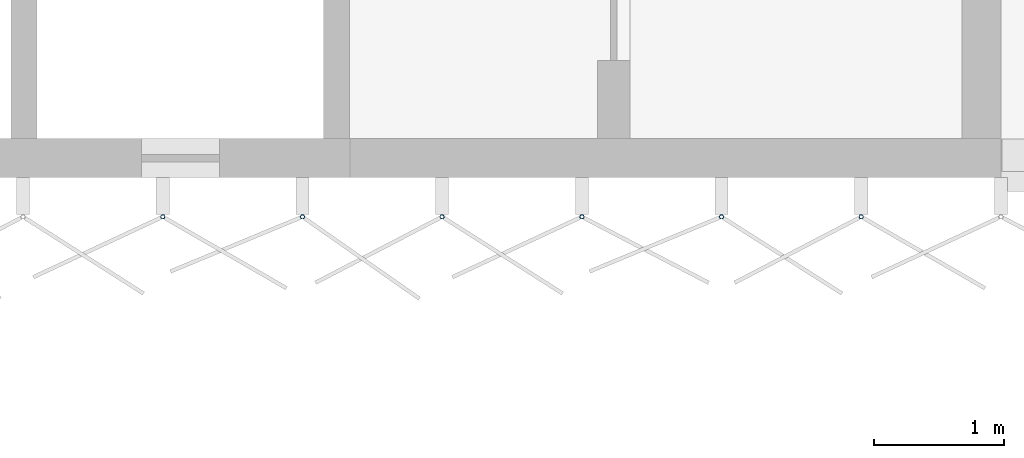
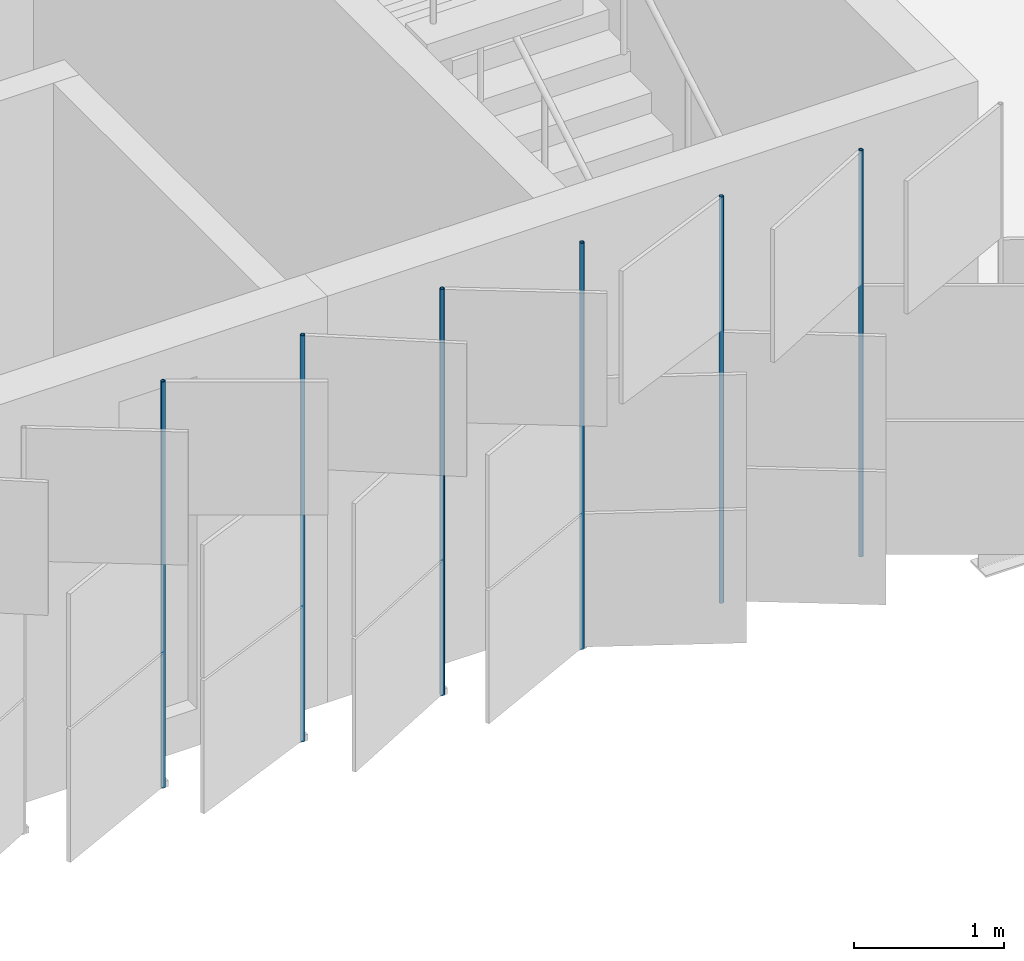
# One storey, part 103 of 198: 6 discrete accessories.
"""IFC4 building model written with IfcOpenShell, lengths in metres."""

from ifc_helpers import new_model, si_unit, direction, frame, origin, origin_2d, place, context, subcontext, project, spatial, hollow_circle, extrude, material, material_profile, profile_set, type_object, element, save


model = new_model("IFC4")

# Units and contexts
model_context = context("Model", 3, precision=1e-05, world=origin(), true_north=direction((0.0, 1.0)))
body_context = subcontext(model_context, "Body", "Model", "MODEL_VIEW")
ifc_project = project(units=[si_unit("LENGTHUNIT", "METRE"), si_unit("AREAUNIT", "SQUARE_METRE"), si_unit("VOLUMEUNIT", "CUBIC_METRE"), si_unit("PLANEANGLEUNIT", "RADIAN"), si_unit("MASSUNIT", "GRAM", prefix="KILO")], contexts=[model_context])

# Site, building, storey
site_placement = place(None, origin())
site = spatial("IfcSite", under=ifc_project, at=site_placement, CompositionType="ELEMENT")
building_placement = place(site_placement, origin())
building = spatial("IfcBuilding", under=site, at=building_placement, Name="Parallax Yard Mobility Hub", CompositionType="ELEMENT")
storey_placement = place(building_placement, frame((0.0, 0.0, 6.60009765625)))
storey = spatial("IfcBuildingStorey", under=building, at=storey_placement, Name="L02", CompositionType="ELEMENT", Elevation=6.60009765625)

# Discrete accessories
ifc_material = material(Name="Steel ASTM A500 Gr C, hot-dip galvanised", Category="steel")
ifc_material_profile = material_profile(ifc_material, hollow_circle(Radius=0.016845703125, WallThickness=0.003173828125, at=origin_2d()), Name="CHS 33.7x3.2")
ifc_profile_set = profile_set([ifc_material_profile], Name="Steel ASTM A500 Gr C, hot-dip galvanised")
discrete_accessory_type = type_object("IfcDiscreteAccessoryType", Name="Hinge post CHS 33.7x3.2", PredefinedType="BRACKET", material=ifc_profile_set)
for number, where, z_axis, x_axis, name in (
    (1, (136.064697265625, 112.199951171875, 0.0), (0.0, 0.0, 1.0), (1.0, 0.0, 0.0), "Hinge post bay 13.9 level L02"),
    (2, (137.136962890625, 112.199951171875, 0.0), (0.0, 0.0, 1.0), (1.0, 0.0, 0.0), "Hinge post bay 13.10 level L02"),
    (3, (138.209228515625, 112.199951171875, 0.0), (0.0, 0.0, 1.0), (1.0, 0.0, 0.0), "Hinge post bay 13.11 level L02"),
    (4, (139.281494140625, 112.199951171875, 0.0), (0.0, 0.0, 1.0), (1.0, 0.0, 0.0), "Hinge post bay 13.12 level L02"),
    (5, (140.353515625, 112.199951171875, 0.0), (0.0, 0.0, 1.0), (1.0, 0.0, 0.0), "Hinge post bay 13.13 level L02"),
    (6, (141.42578125, 112.199951171875, 0.0), (0.0, 0.0, 1.0), (1.0, 0.0, 0.0), "Hinge post bay 13.14 level L02"),
):
    element("IfcDiscreteAccessory", number, at=place(storey_placement, frame(where, z_axis=z_axis, x_axis=x_axis)), inside=storey, type_object=discrete_accessory_type, Name=name, PredefinedType="BRACKET", context=body_context, shape_type="SweptSolid", body=[
        extrude(hollow_circle(Radius=0.016845703125, WallThickness=0.003173828125, at=origin_2d()), origin(), (0.0, 0.0, 1.0), 3.2998046875),
    ])

save(model, "model.ifc")
